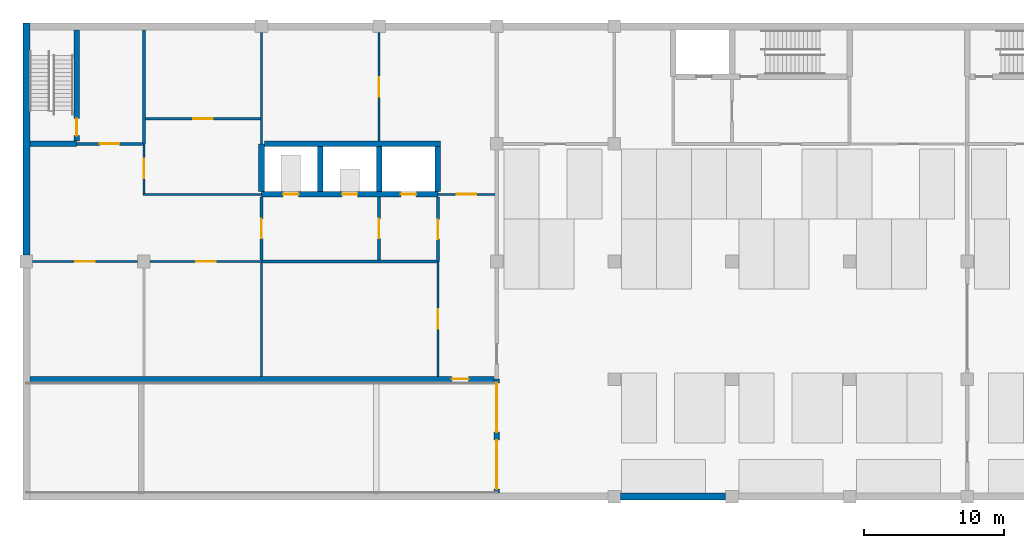
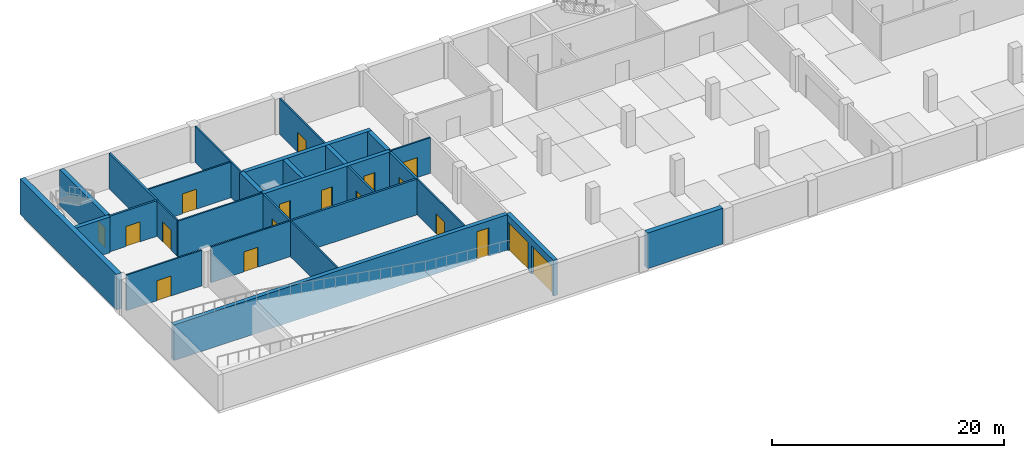
# One storey, part 2 of 14: 28 walls, 18 doors, 18 openings.
"""IFC4 building model written with IfcOpenShell, lengths in metres."""

from ifc_helpers import new_model, si_unit, direction, frame, frame_2d, origin, place, context, subcontext, project, spatial, rectangle, extrude, material, layer, layer_set, type_object, element, fill, save


model = new_model("IFC4")

# Units and contexts
model_context = context("Model", 3, precision=1e-05, world=origin(), true_north=direction((0.0, 1.0)))
body_context = subcontext(model_context, "Body", "Model", "MODEL_VIEW")
ifc_project = project(units=[si_unit("LENGTHUNIT", "METRE"), si_unit("AREAUNIT", "SQUARE_METRE"), si_unit("VOLUMEUNIT", "CUBIC_METRE"), si_unit("PLANEANGLEUNIT", "RADIAN"), si_unit("MASSUNIT", "GRAM", prefix="KILO")], contexts=[model_context])

# Site, building, storey
site_placement = place(None, origin())
site = spatial("IfcSite", under=ifc_project, at=site_placement, CompositionType="ELEMENT")
building_placement = place(site_placement, origin())
building = spatial("IfcBuilding", under=site, at=building_placement, Name="Yavir Park General Hospital", CompositionType="ELEMENT")
storey_placement = place(building_placement, frame((0.0, 0.0, -4.199951171875)))
storey = spatial("IfcBuildingStorey", under=building, at=storey_placement, Name="B1", CompositionType="ELEMENT", Elevation=-4.199951171875)

# Wall
ifc_material_1 = material(Name="Double gypsum board fire partition on steel studs", Category="steel")
ifc_layer_1 = layer(ifc_material_1, 0.199951171875)
ifc_layer_set_1 = layer_set([ifc_layer_1], Name="Double gypsum board fire partition on steel studs")
wall_type_1 = type_object("IfcWallType", Name="Fire-rated partition 200, EI 60", PredefinedType="PARTITIONING", material=ifc_layer_set_1)
wall_1_placement = place(storey_placement, frame((16.800048828125, 16.800048828125, 0.0), z_axis=(0.0, 0.0, 1.0), x_axis=(1.0, 0.0, 0.0)))
element("IfcWall", 1, at=wall_1_placement, inside=storey, type_object=wall_type_1, Name="FP20 B1-004", PredefinedType="PARTITIONING", context=body_context, shape_type="SweptSolid", body=[
    extrude(rectangle(XDim=12.5, YDim=0.199951171875, at=frame_2d((6.25, 0.0))), origin(), (0.0, 0.0, 1.0), 3.75),
])

# Wall, opening, door
wall_2_placement = place(storey_placement, frame((3.60009765625, 25.199951171875, 0.0), z_axis=(0.0, 0.0, 1.0), x_axis=(1.0, 0.0, 0.0)))
wall_2 = element("IfcWall", 2, at=wall_2_placement, inside=storey, type_object=wall_type_1, Name="FP20 B1-013", PredefinedType="PARTITIONING", context=body_context, shape_type="SweptSolid", body=[
    extrude(rectangle(XDim=4.699951171875, YDim=0.199951171875, at=frame_2d((2.35009765625, 0.0))), origin(), (0.0, 0.0, 1.0), 3.75),
])
opening_1_placement = place(wall_2_placement, frame((1.64990234375, 0.0, 0.0)))
opening_1 = element("IfcOpeningElement", 3, at=opening_1_placement, cuts=wall_2, Name="Opening B1.D023", PredefinedType="OPENING", context=body_context, shape_type="SweptSolid", body=[
    extrude(rectangle(XDim=1.39990234375, YDim=2.10009765625, at=frame_2d((0.699951171875, 1.050048828125))), frame((0.0, 0.10986328125, 0.0), z_axis=(0.0, -1.0, 0.0), x_axis=(1.0, 0.0, 0.0)), (0.0, 0.0, 1.0), 0.219970703125),
])
ifc_material_2 = material(Name="Steel frame, fire-resisting leaves with vision panels", Category="steel")
door_type_1 = type_object("IfcDoorType", Name="Double fire door with vision panels 1400 x 2100, EI 60", OperationType="DOUBLE_DOOR_SINGLE_SWING", PredefinedType="DOOR", material=ifc_material_2)
door_1_placement = place(opening_1_placement, origin())
door_1 = element("IfcDoor", 4, at=door_1_placement, inside=storey, type_object=door_type_1, Name="B1.D023", OperationType="SINGLE_SWING_LEFT", OverallHeight=2.10009765625, OverallWidth=1.39990234375, PredefinedType="DOOR", context=body_context, shape_type="SweptSolid", body=[
    extrude(rectangle(XDim=1.39990234375, YDim=2.10009765625, at=frame_2d((0.699951171875, 1.050048828125))), frame((0.0, 0.030029296875, 0.0), z_axis=(0.0, -1.0, 0.0), x_axis=(1.0, 0.0, 0.0)), (0.0, 0.0, 1.0), 0.06005859375),
])
fill(opening_1, door_1)

# Wall
wall_3_placement = place(storey_placement, frame((8.39990234375, 25.199951171875, 0.0), z_axis=(0.0, 0.0, 1.0), x_axis=(0.0, 1.0, 0.0)))
element("IfcWall", 5, at=wall_3_placement, inside=storey, type_object=wall_type_1, Name="FP20 B1-034", PredefinedType="PARTITIONING", context=body_context, shape_type="SweptSolid", body=[
    extrude(rectangle(XDim=8.150146484375, YDim=0.199951171875, at=frame_2d((4.0751953125, 0.0))), origin(), (0.0, 0.0, 1.0), 3.75),
])

# Wall, opening, door
wall_4_placement = place(storey_placement, frame((16.800048828125, 16.89990234375, 0.0), z_axis=(0.0, 0.0, 1.0), x_axis=(0.0, 1.0, 0.0)))
wall_4 = element("IfcWall", 6, at=wall_4_placement, inside=storey, type_object=wall_type_1, Name="FP20 B1-036", PredefinedType="PARTITIONING", context=body_context, shape_type="SweptSolid", body=[
    extrude(rectangle(XDim=4.5, YDim=0.199951171875, at=frame_2d((2.25, 0.0))), origin(), (0.0, 0.0, 1.0), 3.75),
])
opening_2_placement = place(wall_4_placement, frame((1.550048828125, 0.0, 0.0)))
opening_2 = element("IfcOpeningElement", 7, at=opening_2_placement, cuts=wall_4, Name="Opening B1.D041", PredefinedType="OPENING", context=body_context, shape_type="SweptSolid", body=[
    extrude(rectangle(XDim=1.39990234375, YDim=2.10009765625, at=frame_2d((0.699951171875, 1.050048828125))), frame((0.0, 0.10986328125, 0.0), z_axis=(0.0, -1.0, 0.0), x_axis=(1.0, 0.0, 0.0)), (0.0, 0.0, 1.0), 0.219970703125),
])
door_2_placement = place(opening_2_placement, origin())
door_2 = element("IfcDoor", 8, at=door_2_placement, inside=storey, type_object=door_type_1, Name="B1.D041", OperationType="SINGLE_SWING_RIGHT", OverallHeight=2.10009765625, OverallWidth=1.39990234375, PredefinedType="DOOR", context=body_context, shape_type="SweptSolid", body=[
    extrude(rectangle(XDim=1.39990234375, YDim=2.10009765625, at=frame_2d((0.699951171875, 1.050048828125))), frame((0.0, 0.030029296875, 0.0), z_axis=(0.0, -1.0, 0.0), x_axis=(1.0, 0.0, 0.0)), (0.0, 0.0, 1.0), 0.06005859375),
])
fill(opening_2, door_2)

wall_5_placement = place(storey_placement, frame((25.199951171875, 16.89990234375, 0.0), z_axis=(0.0, 0.0, 1.0), x_axis=(0.0, 1.0, 0.0)))
wall_5 = element("IfcWall", 9, at=wall_5_placement, inside=storey, type_object=wall_type_1, Name="FP20 B1-040", PredefinedType="PARTITIONING", context=body_context, shape_type="SweptSolid", body=[
    extrude(rectangle(XDim=4.5, YDim=0.199951171875, at=frame_2d((2.25, 0.0))), origin(), (0.0, 0.0, 1.0), 3.75),
])
opening_3_placement = place(wall_5_placement, frame((1.550048828125, 0.0, 0.0)))
opening_3 = element("IfcOpeningElement", 10, at=opening_3_placement, cuts=wall_5, Name="Opening B1.D042", PredefinedType="OPENING", context=body_context, shape_type="SweptSolid", body=[
    extrude(rectangle(XDim=1.39990234375, YDim=2.10009765625, at=frame_2d((0.699951171875, 1.050048828125))), frame((0.0, 0.10986328125, 0.0), z_axis=(0.0, -1.0, 0.0), x_axis=(1.0, 0.0, 0.0)), (0.0, 0.0, 1.0), 0.219970703125),
])
ifc_material_3 = material(Name="Steel frame, fire-resisting timber leaves", Category="steel")
door_type_2 = type_object("IfcDoorType", Name="Double fire door 1400 x 2100, EI 60", OperationType="DOUBLE_DOOR_SINGLE_SWING", PredefinedType="DOOR", material=ifc_material_3)
door_3_placement = place(opening_3_placement, origin())
door_3 = element("IfcDoor", 11, at=door_3_placement, inside=storey, type_object=door_type_2, Name="B1.D042", OperationType="SINGLE_SWING_LEFT", OverallHeight=2.10009765625, OverallWidth=1.39990234375, PredefinedType="DOOR", context=body_context, shape_type="SweptSolid", body=[
    extrude(rectangle(XDim=1.39990234375, YDim=2.10009765625, at=frame_2d((0.699951171875, 1.050048828125))), frame((0.0, 0.02490234375, 0.0), z_axis=(0.0, -1.0, 0.0), x_axis=(1.0, 0.0, 0.0)), (0.0, 0.0, 1.0), 0.050048828125),
])
fill(opening_3, door_3)

wall_6_placement = place(storey_placement, frame((29.39990234375, 16.800048828125, 0.0), z_axis=(0.0, 0.0, 1.0), x_axis=(0.0, 1.0, 0.0)))
wall_6 = element("IfcWall", 12, at=wall_6_placement, inside=storey, type_object=wall_type_1, Name="FP20 B1-044", PredefinedType="PARTITIONING", context=body_context, shape_type="SweptSolid", body=[
    extrude(rectangle(XDim=4.599853515625, YDim=0.199951171875, at=frame_2d((2.2998046875, 0.0))), origin(), (0.0, 0.0, 1.0), 3.75),
])
opening_4_placement = place(wall_6_placement, frame((1.60009765625, 0.0, 0.0)))
opening_4 = element("IfcOpeningElement", 13, at=opening_4_placement, cuts=wall_6, Name="Opening B1.D045", PredefinedType="OPENING", context=body_context, shape_type="SweptSolid", body=[
    extrude(rectangle(XDim=1.39990234375, YDim=2.10009765625, at=frame_2d((0.699951171875, 1.050048828125))), frame((0.0, 0.10986328125, 0.0), z_axis=(0.0, -1.0, 0.0), x_axis=(1.0, 0.0, 0.0)), (0.0, 0.0, 1.0), 0.219970703125),
])
door_4_placement = place(opening_4_placement, origin())
door_4 = element("IfcDoor", 14, at=door_4_placement, inside=storey, type_object=door_type_1, Name="B1.D045", OperationType="SINGLE_SWING_RIGHT", OverallHeight=2.10009765625, OverallWidth=1.39990234375, PredefinedType="DOOR", context=body_context, shape_type="SweptSolid", body=[
    extrude(rectangle(XDim=1.39990234375, YDim=2.10009765625, at=frame_2d((0.699951171875, 1.050048828125))), frame((0.0, 0.030029296875, 0.0), z_axis=(0.0, -1.0, 0.0), x_axis=(1.0, 0.0, 0.0)), (0.0, 0.0, 1.0), 0.06005859375),
])
fill(opening_4, door_4)

ifc_material_4 = material(Name="Gypsum board partition on steel studs", Category="steel")
ifc_layer_2 = layer(ifc_material_4, 0.14990234375)
ifc_layer_set_2 = layer_set([ifc_layer_2], Name="Gypsum board partition on steel studs")
wall_type_2 = type_object("IfcWallType", Name="Gypsum board partition 150", PredefinedType="PARTITIONING", material=ifc_layer_set_2)
wall_7_placement = place(storey_placement, frame((0.449951171875, 16.800048828125, 0.0), z_axis=(0.0, 0.0, 1.0), x_axis=(1.0, 0.0, 0.0)))
wall_7 = element("IfcWall", 15, at=wall_7_placement, inside=storey, type_object=wall_type_2, Name="P15 B1-002", PredefinedType="PARTITIONING", context=body_context, shape_type="SweptSolid", body=[
    extrude(rectangle(XDim=7.5, YDim=0.14990234375, at=frame_2d((3.75, 0.0))), origin(), (0.0, 0.0, 1.0), 3.75),
])
opening_5_placement = place(wall_7_placement, frame((3.050048828125, 0.0, 0.0)))
opening_5 = element("IfcOpeningElement", 16, at=opening_5_placement, cuts=wall_7, Name="Opening B1.D002", PredefinedType="OPENING", context=body_context, shape_type="SweptSolid", body=[
    extrude(rectangle(XDim=1.39990234375, YDim=2.10009765625, at=frame_2d((0.699951171875, 1.050048828125))), frame((0.0, 0.0849609375, 0.0), z_axis=(0.0, -1.0, 0.0), x_axis=(1.0, 0.0, 0.0)), (0.0, 0.0, 1.0), 0.169921875),
])
ifc_material_5 = material(Name="Hollow metal frame, solid-core timber leaf", Category="wood")
door_type_3 = type_object("IfcDoorType", Name="Double swing door 1400 x 2100", OperationType="DOUBLE_DOOR_SINGLE_SWING", PredefinedType="DOOR", material=ifc_material_5)
door_5_placement = place(opening_5_placement, origin())
door_5 = element("IfcDoor", 17, at=door_5_placement, inside=storey, type_object=door_type_3, Name="B1.D002", OperationType="SINGLE_SWING_LEFT", OverallHeight=2.10009765625, OverallWidth=1.39990234375, PredefinedType="DOOR", context=body_context, shape_type="SweptSolid", body=[
    extrude(rectangle(XDim=1.39990234375, YDim=2.10009765625, at=frame_2d((0.699951171875, 1.050048828125))), frame((0.0, 0.02490234375, 0.0), z_axis=(0.0, -1.0, 0.0), x_axis=(1.0, 0.0, 0.0)), (0.0, 0.0, 1.0), 0.050048828125),
])
fill(opening_5, door_5)

wall_8_placement = place(storey_placement, frame((8.85009765625, 16.800048828125, 0.0), z_axis=(0.0, 0.0, 1.0), x_axis=(1.0, 0.0, 0.0)))
wall_8 = element("IfcWall", 18, at=wall_8_placement, inside=storey, type_object=wall_type_2, Name="P15 B1-003", PredefinedType="PARTITIONING", context=body_context, shape_type="SweptSolid", body=[
    extrude(rectangle(XDim=7.949951171875, YDim=0.14990234375, at=frame_2d((3.97509765625, 0.0))), origin(), (0.0, 0.0, 1.0), 3.75),
])
opening_6_placement = place(wall_8_placement, frame((3.27490234375, 0.0, 0.0)))
opening_6 = element("IfcOpeningElement", 19, at=opening_6_placement, cuts=wall_8, Name="Opening B1.D003", PredefinedType="OPENING", context=body_context, shape_type="SweptSolid", body=[
    extrude(rectangle(XDim=1.39990234375, YDim=2.10009765625, at=frame_2d((0.699951171875, 1.050048828125))), frame((0.0, 0.0849609375, 0.0), z_axis=(0.0, -1.0, 0.0), x_axis=(1.0, 0.0, 0.0)), (0.0, 0.0, 1.0), 0.169921875),
])
door_6_placement = place(opening_6_placement, origin())
door_6 = element("IfcDoor", 20, at=door_6_placement, inside=storey, type_object=door_type_3, Name="B1.D003", OperationType="SINGLE_SWING_LEFT", OverallHeight=2.10009765625, OverallWidth=1.39990234375, PredefinedType="DOOR", context=body_context, shape_type="SweptSolid", body=[
    extrude(rectangle(XDim=1.39990234375, YDim=2.10009765625, at=frame_2d((0.699951171875, 1.050048828125))), frame((0.0, 0.02490234375, 0.0), z_axis=(0.0, -1.0, 0.0), x_axis=(1.0, 0.0, 0.0)), (0.0, 0.0, 1.0), 0.050048828125),
])
fill(opening_6, door_6)

# Wall
wall_9_placement = place(storey_placement, frame((8.324951171875, 21.60009765625, 0.0), z_axis=(0.0, 0.0, 1.0), x_axis=(1.0, 0.0, 0.0)))
element("IfcWall", 21, at=wall_9_placement, inside=storey, type_object=wall_type_2, Name="P15 B1-007", PredefinedType="PARTITIONING", context=body_context, shape_type="SweptSolid", body=[
    extrude(rectangle(XDim=8.47509765625, YDim=0.14990234375, at=frame_2d((4.237548828125, 0.0))), origin(), (0.0, 0.0, 1.0), 3.75),
])

# Wall, opening, door
wall_10_placement = place(storey_placement, frame((29.39990234375, 21.60009765625, 0.0), z_axis=(0.0, 0.0, 1.0), x_axis=(1.0, 0.0, 0.0)))
wall_10 = element("IfcWall", 22, at=wall_10_placement, inside=storey, type_object=wall_type_2, Name="P15 B1-009", PredefinedType="PARTITIONING", context=body_context, shape_type="SweptSolid", body=[
    extrude(rectangle(XDim=4.0751953125, YDim=0.14990234375, at=frame_2d((2.03759765625, 0.0))), origin(), (0.0, 0.0, 1.0), 3.75),
])
opening_7_placement = place(wall_10_placement, frame((1.33740234375, 0.0, 0.0)))
opening_7 = element("IfcOpeningElement", 23, at=opening_7_placement, cuts=wall_10, Name="Opening B1.D011", PredefinedType="OPENING", context=body_context, shape_type="SweptSolid", body=[
    extrude(rectangle(XDim=1.39990234375, YDim=2.10009765625, at=frame_2d((0.699951171875, 1.050048828125))), frame((0.0, 0.0849609375, 0.0), z_axis=(0.0, -1.0, 0.0), x_axis=(1.0, 0.0, 0.0)), (0.0, 0.0, 1.0), 0.169921875),
])
door_7_placement = place(opening_7_placement, origin())
door_7 = element("IfcDoor", 24, at=door_7_placement, inside=storey, type_object=door_type_3, Name="B1.D011", OperationType="SINGLE_SWING_LEFT", OverallHeight=2.10009765625, OverallWidth=1.39990234375, PredefinedType="DOOR", context=body_context, shape_type="SweptSolid", body=[
    extrude(rectangle(XDim=1.39990234375, YDim=2.10009765625, at=frame_2d((0.699951171875, 1.050048828125))), frame((0.0, 0.02490234375, 0.0), z_axis=(0.0, -1.0, 0.0), x_axis=(1.0, 0.0, 0.0)), (0.0, 0.0, 1.0), 0.050048828125),
])
fill(opening_7, door_7)

wall_11_placement = place(storey_placement, frame((8.5, 27.0, 0.0), z_axis=(0.0, 0.0, 1.0), x_axis=(1.0, 0.0, 0.0)))
wall_11 = element("IfcWall", 25, at=wall_11_placement, inside=storey, type_object=wall_type_2, Name="P15 B1-024", PredefinedType="PARTITIONING", context=body_context, shape_type="SweptSolid", body=[
    extrude(rectangle(XDim=8.22509765625, YDim=0.14990234375, at=frame_2d((4.112548828125, 0.0))), origin(), (0.0, 0.0, 1.0), 3.75),
])
opening_8_placement = place(wall_11_placement, frame((3.41259765625, 0.0, 0.0)))
opening_8 = element("IfcOpeningElement", 26, at=opening_8_placement, cuts=wall_11, Name="Opening B1.D030", PredefinedType="OPENING", context=body_context, shape_type="SweptSolid", body=[
    extrude(rectangle(XDim=1.39990234375, YDim=2.10009765625, at=frame_2d((0.699951171875, 1.050048828125))), frame((0.0, 0.0849609375, 0.0), z_axis=(0.0, -1.0, 0.0), x_axis=(1.0, 0.0, 0.0)), (0.0, 0.0, 1.0), 0.169921875),
])
door_8_placement = place(opening_8_placement, origin())
door_8 = element("IfcDoor", 27, at=door_8_placement, inside=storey, type_object=door_type_3, Name="B1.D030", OperationType="SINGLE_SWING_RIGHT", OverallHeight=2.10009765625, OverallWidth=1.39990234375, PredefinedType="DOOR", context=body_context, shape_type="SweptSolid", body=[
    extrude(rectangle(XDim=1.39990234375, YDim=2.10009765625, at=frame_2d((0.699951171875, 1.050048828125))), frame((0.0, 0.02490234375, 0.0), z_axis=(0.0, -1.0, 0.0), x_axis=(1.0, 0.0, 0.0)), (0.0, 0.0, 1.0), 0.050048828125),
])
fill(opening_8, door_8)

wall_12_placement = place(storey_placement, frame((8.39990234375, 21.675048828125, 0.0), z_axis=(0.0, 0.0, 1.0), x_axis=(0.0, 1.0, 0.0)))
wall_12 = element("IfcWall", 28, at=wall_12_placement, inside=storey, type_object=wall_type_2, Name="P15 B1-033", PredefinedType="PARTITIONING", context=body_context, shape_type="SweptSolid", body=[
    extrude(rectangle(XDim=3.52490234375, YDim=0.14990234375, at=frame_2d((1.762451171875, 0.0))), origin(), (0.0, 0.0, 1.0), 3.75),
])
opening_9_placement = place(wall_12_placement, frame((1.0625, 0.0, 0.0)))
opening_9 = element("IfcOpeningElement", 29, at=opening_9_placement, cuts=wall_12, Name="Opening B1.D040", PredefinedType="OPENING", context=body_context, shape_type="SweptSolid", body=[
    extrude(rectangle(XDim=1.39990234375, YDim=2.10009765625, at=frame_2d((0.699951171875, 1.050048828125))), frame((0.0, 0.0849609375, 0.0), z_axis=(0.0, -1.0, 0.0), x_axis=(1.0, 0.0, 0.0)), (0.0, 0.0, 1.0), 0.169921875),
])
door_9_placement = place(opening_9_placement, origin())
door_9 = element("IfcDoor", 30, at=door_9_placement, inside=storey, type_object=door_type_3, Name="B1.D040", OperationType="SINGLE_SWING_LEFT", OverallHeight=2.10009765625, OverallWidth=1.39990234375, PredefinedType="DOOR", context=body_context, shape_type="SweptSolid", body=[
    extrude(rectangle(XDim=1.39990234375, YDim=2.10009765625, at=frame_2d((0.699951171875, 1.050048828125))), frame((0.0, 0.02490234375, 0.0), z_axis=(0.0, -1.0, 0.0), x_axis=(1.0, 0.0, 0.0)), (0.0, 0.0, 1.0), 0.050048828125),
])
fill(opening_9, door_9)

# Walls
wall_13_placement = place(storey_placement, frame((16.800048828125, 8.60009765625, 0.0), z_axis=(0.0, 0.0, 1.0), x_axis=(0.0, 1.0, 0.0)))
element("IfcWall", 31, at=wall_13_placement, inside=storey, type_object=wall_type_2, Name="P15 B1-035", PredefinedType="PARTITIONING", context=body_context, shape_type="SweptSolid", body=[
    extrude(rectangle(XDim=8.099853515625, YDim=0.14990234375, at=frame_2d((4.0498046875, 0.0))), origin(), (0.0, 0.0, 1.0), 3.75),
])
wall_14_placement = place(storey_placement, frame((16.800048828125, 25.199951171875, 0.0), z_axis=(0.0, 0.0, 1.0), x_axis=(0.0, 1.0, 0.0)))
element("IfcWall", 32, at=wall_14_placement, inside=storey, type_object=wall_type_2, Name="P15 B1-038", PredefinedType="PARTITIONING", context=body_context, shape_type="SweptSolid", body=[
    extrude(rectangle(XDim=7.949951171875, YDim=0.14990234375, at=frame_2d((3.97509765625, 0.0))), origin(), (0.0, 0.0, 1.0), 3.75),
])

# Wall, opening, door
wall_15_placement = place(storey_placement, frame((25.199951171875, 25.39990234375, 0.0), z_axis=(0.0, 0.0, 1.0), x_axis=(0.0, 1.0, 0.0)))
wall_15 = element("IfcWall", 33, at=wall_15_placement, inside=storey, type_object=wall_type_2, Name="P15 B1-042", PredefinedType="PARTITIONING", context=body_context, shape_type="SweptSolid", body=[
    extrude(rectangle(XDim=7.75, YDim=0.14990234375, at=frame_2d((3.875, 0.0))), origin(), (0.0, 0.0, 1.0), 3.75),
])
opening_10_placement = place(wall_15_placement, frame((3.175048828125, 0.0, 0.0)))
opening_10 = element("IfcOpeningElement", 34, at=opening_10_placement, cuts=wall_15, Name="Opening B1.D043", PredefinedType="OPENING", context=body_context, shape_type="SweptSolid", body=[
    extrude(rectangle(XDim=1.39990234375, YDim=2.10009765625, at=frame_2d((0.699951171875, 1.050048828125))), frame((0.0, 0.0849609375, 0.0), z_axis=(0.0, -1.0, 0.0), x_axis=(1.0, 0.0, 0.0)), (0.0, 0.0, 1.0), 0.169921875),
])
door_10_placement = place(opening_10_placement, origin())
door_10 = element("IfcDoor", 35, at=door_10_placement, inside=storey, type_object=door_type_3, Name="B1.D043", OperationType="SINGLE_SWING_LEFT", OverallHeight=2.10009765625, OverallWidth=1.39990234375, PredefinedType="DOOR", context=body_context, shape_type="SweptSolid", body=[
    extrude(rectangle(XDim=1.39990234375, YDim=2.10009765625, at=frame_2d((0.699951171875, 1.050048828125))), frame((0.0, 0.02490234375, 0.0), z_axis=(0.0, -1.0, 0.0), x_axis=(1.0, 0.0, 0.0)), (0.0, 0.0, 1.0), 0.050048828125),
])
fill(opening_10, door_10)

wall_16_placement = place(storey_placement, frame((29.39990234375, 8.60009765625, 0.0), z_axis=(0.0, 0.0, 1.0), x_axis=(0.0, 1.0, 0.0)))
wall_16 = element("IfcWall", 36, at=wall_16_placement, inside=storey, type_object=wall_type_2, Name="P15 B1-043", PredefinedType="PARTITIONING", context=body_context, shape_type="SweptSolid", body=[
    extrude(rectangle(XDim=8.199951171875, YDim=0.14990234375, at=frame_2d((4.10009765625, 0.0))), origin(), (0.0, 0.0, 1.0), 3.75),
])
opening_11_placement = place(wall_16_placement, frame((3.39990234375, 0.0, 0.0)))
opening_11 = element("IfcOpeningElement", 37, at=opening_11_placement, cuts=wall_16, Name="Opening B1.D044", PredefinedType="OPENING", context=body_context, shape_type="SweptSolid", body=[
    extrude(rectangle(XDim=1.39990234375, YDim=2.10009765625, at=frame_2d((0.699951171875, 1.050048828125))), frame((0.0, 0.0849609375, 0.0), z_axis=(0.0, -1.0, 0.0), x_axis=(1.0, 0.0, 0.0)), (0.0, 0.0, 1.0), 0.169921875),
])
door_11_placement = place(opening_11_placement, origin())
door_11 = element("IfcDoor", 38, at=door_11_placement, inside=storey, type_object=door_type_3, Name="B1.D044", OperationType="SINGLE_SWING_RIGHT", OverallHeight=2.10009765625, OverallWidth=1.39990234375, PredefinedType="DOOR", context=body_context, shape_type="SweptSolid", body=[
    extrude(rectangle(XDim=1.39990234375, YDim=2.10009765625, at=frame_2d((0.699951171875, 1.050048828125))), frame((0.0, 0.02490234375, 0.0), z_axis=(0.0, -1.0, 0.0), x_axis=(1.0, 0.0, 0.0)), (0.0, 0.0, 1.0), 0.050048828125),
])
fill(opening_11, door_11)

# Walls
ifc_material_6 = material(Name="Concrete C35/45", Category="concrete")
ifc_layer_3 = layer(ifc_material_6, 0.5)
ifc_layer_set_3 = layer_set([ifc_layer_3], Name="Concrete C35/45")
wall_type_3 = type_object("IfcWallType", Name="RC WALL RETAINING 500", PredefinedType="SOLIDWALL", material=ifc_layer_set_3)
wall_17_placement = place(storey_placement, frame((42.449951171875, 0.0, 0.0), z_axis=(0.0, 0.0, 1.0), x_axis=(1.0, 0.0, 0.0)))
element("IfcWall", 39, at=wall_17_placement, inside=storey, type_object=wall_type_3, Name="W:RET:B1:S1", PredefinedType="SOLIDWALL", context=body_context, shape_type="SweptSolid", body=[
    extrude(rectangle(XDim=7.5, YDim=0.5, at=frame_2d((3.75, 0.0))), origin(), (0.0, 0.0, 1.0), 3.75),
])
wall_18_placement = place(storey_placement, frame((0.0, 17.25, 0.0), z_axis=(0.0, 0.0, 1.0), x_axis=(0.0, 1.0, 0.0)))
element("IfcWall", 40, at=wall_18_placement, inside=storey, type_object=wall_type_3, Name="W:RET:B1:W27", PredefinedType="SOLIDWALL", context=body_context, shape_type="SweptSolid", body=[
    extrude(rectangle(XDim=16.60009765625, YDim=0.5, at=frame_2d((8.300048828125, 0.0))), origin(), (0.0, 0.0, 1.0), 3.75),
])

# Wall, opening, door
ifc_material_7 = material(Name="Concrete C35/45", Category="concrete")
ifc_layer_4 = layer(ifc_material_7, 0.39990234375)
ifc_layer_set_4 = layer_set([ifc_layer_4], Name="Concrete C35/45")
wall_type_4 = type_object("IfcWallType", Name="Reinforced concrete core wall 400, REI 150", PredefinedType="SHEAR", material=ifc_layer_set_4)
wall_19_placement = place(storey_placement, frame((0.25, 8.39990234375, 0.0), z_axis=(0.0, 0.0, 1.0), x_axis=(1.0, 0.0, 0.0)))
wall_19 = element("IfcWall", 41, at=wall_19_placement, inside=storey, type_object=wall_type_4, Name="CW40 B1-001", PredefinedType="SHEAR", context=body_context, shape_type="SweptSolid", body=[
    extrude(rectangle(XDim=33.14990234375, YDim=0.39990234375, at=frame_2d((16.574951171875, 0.0))), origin(), (0.0, 0.0, 1.0), 3.75),
])
opening_12_placement = place(wall_19_placement, frame((30.14990234375, 0.0, 0.0)))
opening_12 = element("IfcOpeningElement", 42, at=opening_12_placement, cuts=wall_19, Name="Opening B1.D001", PredefinedType="OPENING", context=body_context, shape_type="SweptSolid", body=[
    extrude(rectangle(XDim=1.199951171875, YDim=3.0, at=frame_2d((0.60009765625, 1.5))), frame((0.0, 0.2099609375, 0.0), z_axis=(0.0, -1.0, 0.0), x_axis=(1.0, 0.0, 0.0)), (0.0, 0.0, 1.0), 0.419921875),
])
ifc_material_8 = material(Name="Steel frame, fire-resisting timber leaf", Category="steel")
door_type_4 = type_object("IfcDoorType", Name="Fire door 1200 x 3000, EI 60", OperationType="SINGLE_SWING_LEFT", PredefinedType="DOOR", material=ifc_material_8)
door_12_placement = place(opening_12_placement, origin())
door_12 = element("IfcDoor", 43, at=door_12_placement, inside=storey, type_object=door_type_4, Name="B1.D001", OperationType="SINGLE_SWING_RIGHT", OverallHeight=3.0, OverallWidth=1.199951171875, PredefinedType="DOOR", context=body_context, shape_type="SweptSolid", body=[
    extrude(rectangle(XDim=1.199951171875, YDim=3.0, at=frame_2d((0.60009765625, 1.5))), frame((0.0, 0.02490234375, 0.0), z_axis=(0.0, -1.0, 0.0), x_axis=(1.0, 0.0, 0.0)), (0.0, 0.0, 1.0), 0.050048828125),
])
fill(opening_12, door_12)

# Wall, openings, doors
wall_20_placement = place(storey_placement, frame((16.800048828125, 21.60009765625, 0.0), z_axis=(0.0, 0.0, 1.0), x_axis=(1.0, 0.0, 0.0)))
wall_20 = element("IfcWall", 44, at=wall_20_placement, inside=storey, type_object=wall_type_4, Name="CW40 B1-008", PredefinedType="SHEAR", context=body_context, shape_type="SweptSolid", body=[
    extrude(rectangle(XDim=12.599853515625, YDim=0.39990234375, at=frame_2d((6.2998046875, 0.0))), origin(), (0.0, 0.0, 1.0), 3.75),
])
opening_13_placement = place(wall_20_placement, frame((1.550048828125, 0.0, 0.0)))
opening_13 = element("IfcOpeningElement", 45, at=opening_13_placement, cuts=wall_20, Name="Opening B1.D008", PredefinedType="OPENING", context=body_context, shape_type="SweptSolid", body=[
    extrude(rectangle(XDim=1.10009765625, YDim=2.10009765625, at=frame_2d((0.550048828125, 1.050048828125))), frame((0.0, 0.2099609375, 0.0), z_axis=(0.0, -1.0, 0.0), x_axis=(1.0, 0.0, 0.0)), (0.0, 0.0, 1.0), 0.419921875),
])
opening_14_placement = place(wall_20_placement, frame((5.75, 0.0, 0.0)))
opening_14 = element("IfcOpeningElement", 46, at=opening_14_placement, cuts=wall_20, Name="Opening B1.D009", PredefinedType="OPENING", context=body_context, shape_type="SweptSolid", body=[
    extrude(rectangle(XDim=1.10009765625, YDim=2.10009765625, at=frame_2d((0.550048828125, 1.050048828125))), frame((0.0, 0.2099609375, 0.0), z_axis=(0.0, -1.0, 0.0), x_axis=(1.0, 0.0, 0.0)), (0.0, 0.0, 1.0), 0.419921875),
])
opening_15_placement = place(wall_20_placement, frame((9.949951171875, 0.0, 0.0)))
opening_15 = element("IfcOpeningElement", 47, at=opening_15_placement, cuts=wall_20, Name="Opening B1.D010", PredefinedType="OPENING", context=body_context, shape_type="SweptSolid", body=[
    extrude(rectangle(XDim=1.10009765625, YDim=2.10009765625, at=frame_2d((0.550048828125, 1.050048828125))), frame((0.0, 0.2099609375, 0.0), z_axis=(0.0, -1.0, 0.0), x_axis=(1.0, 0.0, 0.0)), (0.0, 0.0, 1.0), 0.419921875),
])
ifc_material_9 = material(Name="Stainless steel landing door panels", Category="steel")
door_type_5 = type_object("IfcDoorType", Name="Lift landing door 1100 x 2100, EI 60", OperationType="SLIDING_TO_LEFT", PredefinedType="DOOR", material=ifc_material_9)
door_13_placement = place(opening_13_placement, origin())
door_13 = element("IfcDoor", 48, at=door_13_placement, inside=storey, type_object=door_type_5, Name="B1.D008", OperationType="SLIDING_TO_LEFT", OverallHeight=2.10009765625, OverallWidth=1.10009765625, PredefinedType="DOOR", context=body_context, shape_type="SweptSolid", body=[
    extrude(rectangle(XDim=1.10009765625, YDim=2.10009765625, at=frame_2d((0.550048828125, 1.050048828125))), frame((0.0, 0.02490234375, 0.0), z_axis=(0.0, -1.0, 0.0), x_axis=(1.0, 0.0, 0.0)), (0.0, 0.0, 1.0), 0.050048828125),
])
fill(opening_13, door_13)
door_14_placement = place(opening_14_placement, origin())
door_14 = element("IfcDoor", 49, at=door_14_placement, inside=storey, type_object=door_type_5, Name="B1.D009", OperationType="SLIDING_TO_LEFT", OverallHeight=2.10009765625, OverallWidth=1.10009765625, PredefinedType="DOOR", context=body_context, shape_type="SweptSolid", body=[
    extrude(rectangle(XDim=1.10009765625, YDim=2.10009765625, at=frame_2d((0.550048828125, 1.050048828125))), frame((0.0, 0.02490234375, 0.0), z_axis=(0.0, -1.0, 0.0), x_axis=(1.0, 0.0, 0.0)), (0.0, 0.0, 1.0), 0.050048828125),
])
fill(opening_14, door_14)
door_15_placement = place(opening_15_placement, origin())
door_15 = element("IfcDoor", 50, at=door_15_placement, inside=storey, type_object=door_type_5, Name="B1.D010", OperationType="SLIDING_TO_LEFT", OverallHeight=2.10009765625, OverallWidth=1.10009765625, PredefinedType="DOOR", context=body_context, shape_type="SweptSolid", body=[
    extrude(rectangle(XDim=1.10009765625, YDim=2.10009765625, at=frame_2d((0.550048828125, 1.050048828125))), frame((0.0, 0.02490234375, 0.0), z_axis=(0.0, -1.0, 0.0), x_axis=(1.0, 0.0, 0.0)), (0.0, 0.0, 1.0), 0.050048828125),
])
fill(opening_15, door_15)

# Walls
wall_21_placement = place(storey_placement, frame((0.25, 25.199951171875, 0.0), z_axis=(0.0, 0.0, 1.0), x_axis=(1.0, 0.0, 0.0)))
element("IfcWall", 51, at=wall_21_placement, inside=storey, type_object=wall_type_4, Name="CW40 B1-012", PredefinedType="SHEAR", context=body_context, shape_type="SweptSolid", body=[
    extrude(rectangle(XDim=3.35009765625, YDim=0.39990234375, at=frame_2d((1.675048828125, 0.0))), origin(), (0.0, 0.0, 1.0), 3.75),
])
wall_22_placement = place(storey_placement, frame((17.0, 25.199951171875, 0.0), z_axis=(0.0, 0.0, 1.0), x_axis=(1.0, 0.0, 0.0)))
element("IfcWall", 52, at=wall_22_placement, inside=storey, type_object=wall_type_4, Name="CW40 B1-014", PredefinedType="SHEAR", context=body_context, shape_type="SweptSolid", body=[
    extrude(rectangle(XDim=12.60009765625, YDim=0.39990234375, at=frame_2d((6.300048828125, 0.0))), origin(), (0.0, 0.0, 1.0), 3.75),
])

# Wall, opening, door
wall_23_placement = place(storey_placement, frame((3.60009765625, 25.39990234375, 0.0), z_axis=(0.0, 0.0, 1.0), x_axis=(0.0, 1.0, 0.0)))
wall_23 = element("IfcWall", 53, at=wall_23_placement, inside=storey, type_object=wall_type_4, Name="CW40 B1-031", PredefinedType="SHEAR", context=body_context, shape_type="SweptSolid", body=[
    extrude(rectangle(XDim=7.9501953125, YDim=0.39990234375, at=frame_2d((3.97509765625, 0.0))), origin(), (0.0, 0.0, 1.0), 3.75),
])
opening_16_placement = place(wall_23_placement, frame((0.39990234375, 0.0, 0.0)))
opening_16 = element("IfcOpeningElement", 54, at=opening_16_placement, cuts=wall_23, Name="Opening B1.D039", PredefinedType="OPENING", context=body_context, shape_type="SweptSolid", body=[
    extrude(rectangle(XDim=1.199951171875, YDim=2.10009765625, at=frame_2d((0.60009765625, 1.050048828125))), frame((0.0, 0.2099609375, 0.0), z_axis=(0.0, -1.0, 0.0), x_axis=(1.0, 0.0, 0.0)), (0.0, 0.0, 1.0), 0.419921875),
])
ifc_material_10 = material(Name="Steel frame, fire-resisting timber leaf", Category="steel")
door_type_6 = type_object("IfcDoorType", Name="Fire door 1200 x 2100, EI 60", OperationType="SINGLE_SWING_LEFT", PredefinedType="DOOR", material=ifc_material_10)
door_16_placement = place(opening_16_placement, origin())
door_16 = element("IfcDoor", 55, at=door_16_placement, inside=storey, type_object=door_type_6, Name="B1.D039", OperationType="SINGLE_SWING_RIGHT", OverallHeight=2.10009765625, OverallWidth=1.199951171875, PredefinedType="DOOR", context=body_context, shape_type="SweptSolid", body=[
    extrude(rectangle(XDim=1.199951171875, YDim=2.10009765625, at=frame_2d((0.60009765625, 1.050048828125))), frame((0.0, 0.02490234375, 0.0), z_axis=(0.0, -1.0, 0.0), x_axis=(1.0, 0.0, 0.0)), (0.0, 0.0, 1.0), 0.050048828125),
])
fill(opening_16, door_16)

# Walls
wall_24_placement = place(storey_placement, frame((16.800048828125, 21.800048828125, 0.0), z_axis=(0.0, 0.0, 1.0), x_axis=(0.0, 1.0, 0.0)))
element("IfcWall", 56, at=wall_24_placement, inside=storey, type_object=wall_type_4, Name="CW40 B1-037", PredefinedType="SHEAR", context=body_context, shape_type="SweptSolid", body=[
    extrude(rectangle(XDim=3.39990234375, YDim=0.39990234375, at=frame_2d((1.699951171875, 0.0))), origin(), (0.0, 0.0, 1.0), 3.75),
])
for number, where, z_axis, x_axis, name in (
    (57, (21.0, 21.800048828125, 0.0), (0.0, 0.0, 1.0), (0.0, 1.0, 0.0), "CW40 B1-039"),
    (58, (25.199951171875, 21.800048828125, 0.0), (0.0, 0.0, 1.0), (0.0, 1.0, 0.0), "CW40 B1-041"),
    (59, (29.39990234375, 21.800048828125, 0.0), (0.0, 0.0, 1.0), (0.0, 1.0, 0.0), "CW40 B1-045"),
):
    element("IfcWall", number, at=place(storey_placement, frame(where, z_axis=z_axis, x_axis=x_axis)), inside=storey, type_object=wall_type_4, Name=name, PredefinedType="SHEAR", context=body_context, shape_type="SweptSolid", body=[
        extrude(rectangle(XDim=3.199951171875, YDim=0.39990234375, at=frame_2d((1.60009765625, 0.0))), origin(), (0.0, 0.0, 1.0), 3.75),
    ])

# Wall, openings, doors
wall_25_placement = place(storey_placement, frame((33.60009765625, 0.25, 0.0), z_axis=(0.0, 0.0, 1.0), x_axis=(0.0, 1.0, 0.0)))
wall_25 = element("IfcWall", 60, at=wall_25_placement, inside=storey, type_object=wall_type_4, Name="CW40 B1-046", PredefinedType="SHEAR", context=body_context, shape_type="SweptSolid", body=[
    extrude(rectangle(XDim=8.14990234375, YDim=0.39990234375, at=frame_2d((4.074951171875, 0.0))), origin(), (0.0, 0.0, 1.0), 3.75),
])
opening_17_placement = place(wall_25_placement, frame((0.28759765625, 0.0, 0.0)))
opening_17 = element("IfcOpeningElement", 61, at=opening_17_placement, cuts=wall_25, Name="Opening B1.D046", PredefinedType="OPENING", context=body_context, shape_type="SweptSolid", body=[
    extrude(rectangle(XDim=3.5, YDim=3.0, at=frame_2d((1.75, 1.5))), frame((0.0, 0.2099609375, 0.0), z_axis=(0.0, -1.0, 0.0), x_axis=(1.0, 0.0, 0.0)), (0.0, 0.0, 1.0), 0.419921875),
])
opening_18_placement = place(wall_25_placement, frame((4.362548828125, 0.0, 0.0)))
opening_18 = element("IfcOpeningElement", 62, at=opening_18_placement, cuts=wall_25, Name="Opening B1.D047", PredefinedType="OPENING", context=body_context, shape_type="SweptSolid", body=[
    extrude(rectangle(XDim=3.5, YDim=3.0, at=frame_2d((1.75, 1.5))), frame((0.0, 0.2099609375, 0.0), z_axis=(0.0, -1.0, 0.0), x_axis=(1.0, 0.0, 0.0)), (0.0, 0.0, 1.0), 0.419921875),
])
ifc_material_11 = material(Name="Steel slat fire shutter", Category="steel")
door_type_7 = type_object("IfcDoorType", Name="Fire shutter, vehicle opening 3500 x 3000, EI 60", OperationType="ROLLINGUP", PredefinedType="GATE", material=ifc_material_11)
door_17_placement = place(opening_17_placement, origin())
door_17 = element("IfcDoor", 63, at=door_17_placement, inside=storey, type_object=door_type_7, Name="B1.D046", OperationType="ROLLINGUP", OverallHeight=3.0, OverallWidth=3.5, PredefinedType="GATE", context=body_context, shape_type="SweptSolid", body=[
    extrude(rectangle(XDim=3.5, YDim=3.0, at=frame_2d((1.75, 1.5))), frame((0.0, 0.02490234375, 0.0), z_axis=(0.0, -1.0, 0.0), x_axis=(1.0, 0.0, 0.0)), (0.0, 0.0, 1.0), 0.050048828125),
])
fill(opening_17, door_17)
door_18_placement = place(opening_18_placement, origin())
door_18 = element("IfcDoor", 64, at=door_18_placement, inside=storey, type_object=door_type_7, Name="B1.D047", OperationType="ROLLINGUP", OverallHeight=3.0, OverallWidth=3.5, PredefinedType="GATE", context=body_context, shape_type="SweptSolid", body=[
    extrude(rectangle(XDim=3.5, YDim=3.0, at=frame_2d((1.75, 1.5))), frame((0.0, 0.02490234375, 0.0), z_axis=(0.0, -1.0, 0.0), x_axis=(1.0, 0.0, 0.0)), (0.0, 0.0, 1.0), 0.050048828125),
])
fill(opening_18, door_18)

save(model, "model.ifc")
